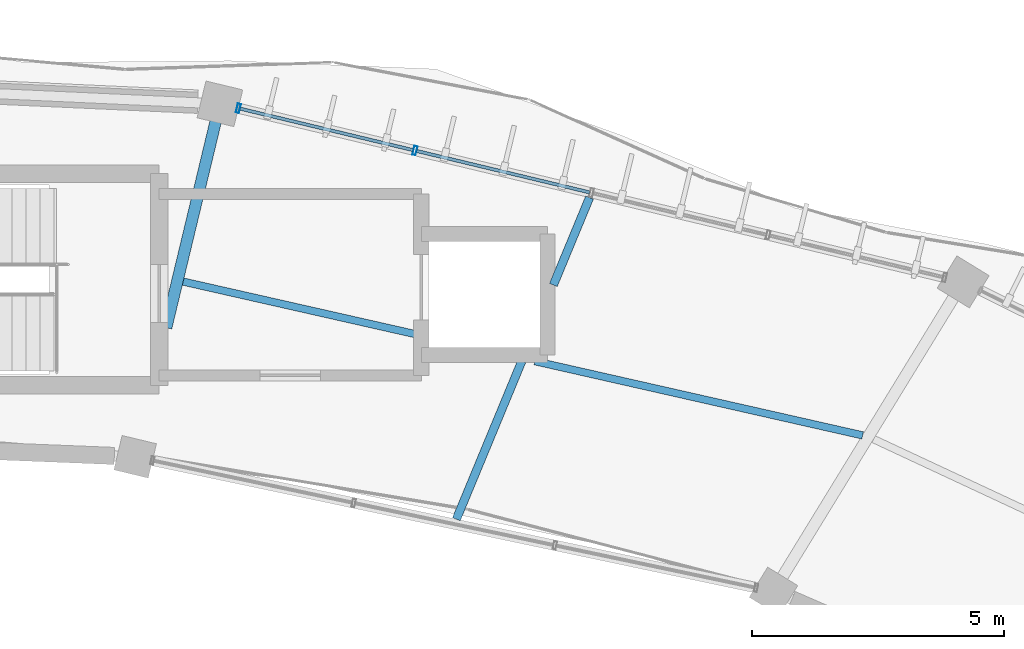
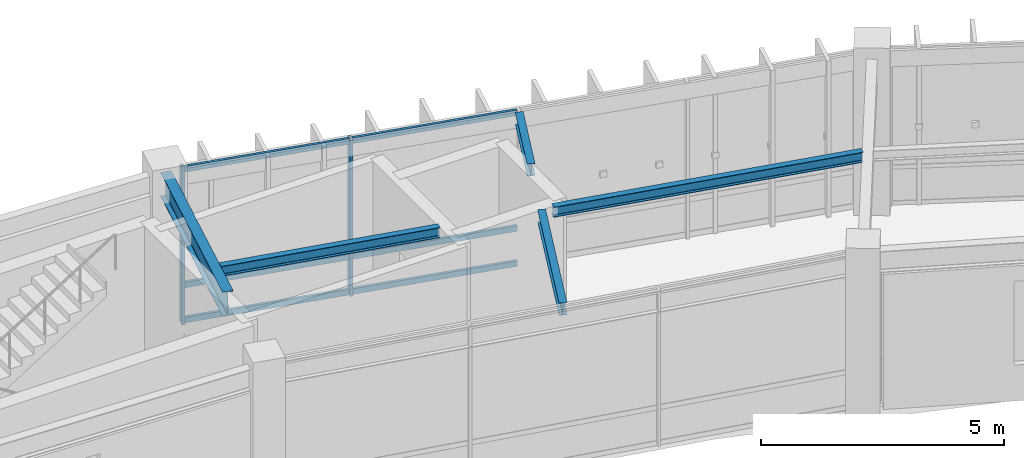
# One storey, part 80 of 152: 8 members, 5 beams, 1 element without a shape of its own.
"""IFC4 building model written with IfcOpenShell, lengths in metres."""

from ifc_helpers import new_model, si_unit, direction, frame, origin, origin_2d, place, context, subcontext, project, spatial, hollow_rectangle, i_section, extrude, material, material_profile, profile_set, type_object, element, aggregate, save


model = new_model("IFC4")

# Units and contexts
model_context = context("Model", 3, precision=1e-05, world=origin(), true_north=direction((0.0, 1.0)))
body_context = subcontext(model_context, "Body", "Model", "MODEL_VIEW")
ifc_project = project(units=[si_unit("LENGTHUNIT", "METRE"), si_unit("AREAUNIT", "SQUARE_METRE"), si_unit("VOLUMEUNIT", "CUBIC_METRE"), si_unit("PLANEANGLEUNIT", "RADIAN"), si_unit("MASSUNIT", "GRAM", prefix="KILO"), si_unit("THERMODYNAMICTEMPERATUREUNIT", "KELVIN"), si_unit("POWERUNIT", "WATT")], contexts=[model_context])

# Site, building, storey
site_placement = place(None, origin())
site = spatial("IfcSite", under=ifc_project, at=site_placement, CompositionType="ELEMENT")
building_placement = place(site_placement, origin())
building = spatial("IfcBuilding", under=site, at=building_placement, Name="Darbajah Civic Hall", CompositionType="ELEMENT")
storey_placement = place(building_placement, frame((0.0, 0.0, 5.39990234375)))
storey = spatial("IfcBuildingStorey", under=building, at=storey_placement, Name="L01", CompositionType="ELEMENT", Elevation=5.39990234375)

# Curtain wall, members
ifc_material_1 = material(Name="Anodised Bronze Aluminium and Low-E Glazing", Category="aluminium")
curtain_wall_type = type_object("IfcCurtainWallType", Name="Unitised Curtain Wall CW-21 14400x3900", PredefinedType="USERDEFINED", material=ifc_material_1)
curtain_wall_placement = place(storey_placement, origin())
curtain_wall = element("IfcCurtainWall", 1, at=curtain_wall_placement, inside=storey, type_object=curtain_wall_type, Name="L01 unitised curtain wall CW-V1O-L01-03", ObjectType="UNITISED CURTAIN WALL", PredefinedType="USERDEFINED")
ifc_material_2 = material(Name="Anodised Bronze Aluminium", Category="aluminium")
ifc_material_profile_1 = material_profile(ifc_material_2, hollow_rectangle(XDim=0.06494140625, YDim=0.179931640625, WallThickness=0.00390625, at=origin_2d()), Name="ALU MULLION 65x180")
ifc_profile_set_1 = profile_set([ifc_material_profile_1], Name="Anodised Bronze Aluminium")
member_type_1 = type_object("IfcMemberType", Name="ALU MULLION 65x180", PredefinedType="MULLION", material=ifc_profile_set_1)
member_1_placement = place(storey_placement, frame((104.87451171875, 117.55810546875, 0.0), z_axis=(0.0, 0.0, 1.0), x_axis=(-0.972492018808, 0.232936200179, 0.0)))
member_1 = element("IfcMember", 2, at=member_1_placement, type_object=member_type_1, Name="CW-V1O-L01-03 mullion 4", PredefinedType="MULLION", context=body_context, shape_type="SweptSolid", body=[
    extrude(hollow_rectangle(XDim=0.06494140625, YDim=0.179931640625, WallThickness=0.00390625, at=origin_2d()), origin(), (0.0, 0.0, 1.0), 3.920166015625),
])
member_2_placement = place(storey_placement, frame((101.372314453125, 118.397216796875, 0.0), z_axis=(0.0, 0.0, 1.0), x_axis=(-0.972492018808, 0.232936200179, 0.0)))
member_2 = element("IfcMember", 3, at=member_2_placement, type_object=member_type_1, Name="CW-V1O-L01-03 mullion 5", PredefinedType="MULLION", context=body_context, shape_type="SweptSolid", body=[
    extrude(hollow_rectangle(XDim=0.06494140625, YDim=0.179931640625, WallThickness=0.00390625, at=origin_2d()), origin(), (0.0, 0.0, 1.0), 3.920166015625),
])
ifc_material_profile_2 = material_profile(ifc_material_2, hollow_rectangle(XDim=0.06494140625, YDim=0.139892578125, WallThickness=0.00341796875, at=origin_2d()), Name="ALU TRANSOM 65x140")
ifc_profile_set_2 = profile_set([ifc_material_profile_2], Name="Anodised Bronze Aluminium")
member_type_2 = type_object("IfcMemberType", Name="ALU TRANSOM 65x140", PredefinedType="USERDEFINED", material=ifc_profile_set_2)
member_3_placement = place(storey_placement, frame((108.340087890625, 116.7275390625, 0.070068359375), z_axis=(-0.972466430891, 0.23304300202, 0.0), x_axis=(-0.23304300202, -0.972466430891, 0.0)))
member_3 = element("IfcMember", 4, at=member_3_placement, type_object=member_type_2, Name="CW-V1O-L01-03 transom 3.1", ObjectType="TRANSOM", PredefinedType="USERDEFINED", context=body_context, shape_type="SweptSolid", body=[
    extrude(hollow_rectangle(XDim=0.06494140625, YDim=0.139892578125, WallThickness=0.00341796875, at=origin_2d()), origin(), (0.0, 0.0, 1.0), 3.5263671875),
])
member_4_placement = place(storey_placement, frame((108.340087890625, 116.7275390625, 0.9501953125), z_axis=(-0.972466430891, 0.23304300202, 0.0), x_axis=(-0.23304300202, -0.972466430891, 0.0)))
member_4 = element("IfcMember", 5, at=member_4_placement, type_object=member_type_2, Name="CW-V1O-L01-03 transom 3.2", ObjectType="TRANSOM", PredefinedType="USERDEFINED", context=body_context, shape_type="SweptSolid", body=[
    extrude(hollow_rectangle(XDim=0.06494140625, YDim=0.139892578125, WallThickness=0.00341796875, at=origin_2d()), origin(), (0.0, 0.0, 1.0), 3.5263671875),
])
member_5_placement = place(storey_placement, frame((108.340087890625, 116.7275390625, 3.85009765625), z_axis=(-0.972466430891, 0.23304300202, 0.0), x_axis=(-0.23304300202, -0.972466430891, 0.0)))
member_5 = element("IfcMember", 6, at=member_5_placement, type_object=member_type_2, Name="CW-V1O-L01-03 transom 3.3", ObjectType="TRANSOM", PredefinedType="USERDEFINED", context=body_context, shape_type="SweptSolid", body=[
    extrude(hollow_rectangle(XDim=0.06494140625, YDim=0.139892578125, WallThickness=0.00341796875, at=origin_2d()), origin(), (0.0, 0.0, 1.0), 3.5263671875),
])
member_6_placement = place(storey_placement, frame((104.837890625, 117.566650390625, 0.070068359375), z_axis=(-0.972466430891, 0.23304300202, 0.0), x_axis=(-0.23304300202, -0.972466430891, 0.0)))
member_6 = element("IfcMember", 7, at=member_6_placement, type_object=member_type_2, Name="CW-V1O-L01-03 transom 4.1", ObjectType="TRANSOM", PredefinedType="USERDEFINED", context=body_context, shape_type="SweptSolid", body=[
    extrude(hollow_rectangle(XDim=0.06494140625, YDim=0.139892578125, WallThickness=0.00341796875, at=origin_2d()), origin(), (0.0, 0.0, 1.0), 3.5263671875),
])
member_7_placement = place(storey_placement, frame((104.837890625, 117.566650390625, 0.9501953125), z_axis=(-0.972466430891, 0.23304300202, 0.0), x_axis=(-0.23304300202, -0.972466430891, 0.0)))
member_7 = element("IfcMember", 8, at=member_7_placement, type_object=member_type_2, Name="CW-V1O-L01-03 transom 4.2", ObjectType="TRANSOM", PredefinedType="USERDEFINED", context=body_context, shape_type="SweptSolid", body=[
    extrude(hollow_rectangle(XDim=0.06494140625, YDim=0.139892578125, WallThickness=0.00341796875, at=origin_2d()), origin(), (0.0, 0.0, 1.0), 3.5263671875),
])
member_8_placement = place(storey_placement, frame((104.837890625, 117.566650390625, 3.85009765625), z_axis=(-0.972466430891, 0.23304300202, 0.0), x_axis=(-0.23304300202, -0.972466430891, 0.0)))
member_8 = element("IfcMember", 9, at=member_8_placement, type_object=member_type_2, Name="CW-V1O-L01-03 transom 4.3", ObjectType="TRANSOM", PredefinedType="USERDEFINED", context=body_context, shape_type="SweptSolid", body=[
    extrude(hollow_rectangle(XDim=0.06494140625, YDim=0.139892578125, WallThickness=0.00341796875, at=origin_2d()), origin(), (0.0, 0.0, 1.0), 3.5263671875),
])
aggregate(curtain_wall, [member_1, member_2, member_3, member_4, member_5, member_6, member_7, member_8])

# Beams
ifc_material_3 = material(Name="Steel S355JR", Category="steel")
ifc_material_profile_3 = material_profile(ifc_material_3, i_section(OverallWidth=0.146484375, OverallDepth=0.256103515625, WebThickness=0.00634765625, FlangeThickness=0.010986328125, FilletRadius=0.007568359375, at=origin_2d()), Name="UB 254x146x37")
ifc_profile_set_3 = profile_set([ifc_material_profile_3], Name="Steel S355JR")
beam_type_1 = type_object("IfcBeamType", Name="UB 254x146x37", PredefinedType="JOIST", material=ifc_profile_set_3)
beam_1_placement = place(storey_placement, frame((113.75341796875, 111.908935546875, 3.7919921875), z_axis=(-0.975333988731, 0.220734252953, 0.0), x_axis=(-0.220734252953, -0.975333988731, 0.0)))
element("IfcBeam", 10, at=beam_1_placement, inside=storey, type_object=beam_type_1, Name="L01 beam SJ-254", PredefinedType="JOIST", context=body_context, shape_type="SweptSolid", body=[
    extrude(i_section(OverallWidth=0.146484375, OverallDepth=0.256103515625, WebThickness=0.00634765625, FlangeThickness=0.010986328125, FilletRadius=0.007568359375, at=origin_2d()), origin(), (0.0, 0.0, 1.0), 6.663818359375),
])
beam_2_placement = place(storey_placement, frame((104.8798828125, 113.917236328125, 3.7919921875), z_axis=(-0.97532969835, 0.220753209527, 0.0), x_axis=(-0.220753209527, -0.97532969835, 0.0)))
element("IfcBeam", 11, at=beam_2_placement, inside=storey, type_object=beam_type_1, Name="L01 beam SJ-254", PredefinedType="JOIST", context=body_context, shape_type="SweptSolid", body=[
    extrude(i_section(OverallWidth=0.146484375, OverallDepth=0.256103515625, WebThickness=0.00634765625, FlangeThickness=0.010986328125, FilletRadius=0.007568359375, at=origin_2d()), origin(), (0.0, 0.0, 1.0), 4.718017578125),
])
ifc_material_profile_4 = material_profile(ifc_material_3, i_section(OverallWidth=0.165771484375, OverallDepth=0.306640625, WebThickness=0.006591796875, FlangeThickness=0.01171875, FilletRadius=0.0087890625, at=origin_2d()), Name="UB 305x165x46")
ifc_profile_set_4 = profile_set([ifc_material_profile_4], Name="Steel S355JR")
beam_type_2 = type_object("IfcBeamType", Name="UB 305x165x46", PredefinedType="JOIST", material=ifc_profile_set_4)
beam_3_placement = place(storey_placement, frame((105.69580078125, 110.246826171875, 3.766845703125), z_axis=(0.382646399195, 0.923894871283, 0.0), x_axis=(-0.923894871283, 0.382646399195, 0.0)))
element("IfcBeam", 12, at=beam_3_placement, inside=storey, type_object=beam_type_2, Name="L01 beam SJ-305", PredefinedType="JOIST", context=body_context, shape_type="SweptSolid", body=[
    extrude(i_section(OverallWidth=0.165771484375, OverallDepth=0.306640625, WebThickness=0.006591796875, FlangeThickness=0.01171875, FilletRadius=0.0087890625, at=origin_2d()), origin(), (0.0, 0.0, 1.0), 3.39111328125),
])
beam_4_placement = place(storey_placement, frame((107.6201171875, 114.892578125, 3.766845703125), z_axis=(0.382589483091, 0.923918441978, 0.0), x_axis=(-0.923918441978, 0.382589483091, 0.0)))
element("IfcBeam", 13, at=beam_4_placement, inside=storey, type_object=beam_type_2, Name="L01 beam SJ-305", PredefinedType="JOIST", context=body_context, shape_type="SweptSolid", body=[
    extrude(i_section(OverallWidth=0.165771484375, OverallDepth=0.306640625, WebThickness=0.006591796875, FlangeThickness=0.01171875, FilletRadius=0.0087890625, at=origin_2d()), origin(), (0.0, 0.0, 1.0), 1.874755859375),
])
ifc_material_profile_5 = material_profile(ifc_material_3, i_section(OverallWidth=0.228271484375, OverallDepth=0.607666015625, WebThickness=0.010986328125, FlangeThickness=0.017333984375, FilletRadius=0.0126953125, at=origin_2d()), Name="UB 610x229x113")
ifc_profile_set_5 = profile_set([ifc_material_profile_5], Name="Steel S355JR")
beam_type_3 = type_object("IfcBeamType", Name="UB 610x229x113", PredefinedType="BEAM", material=ifc_profile_set_5)
beam_5_placement = place(storey_placement, frame((99.93994140625, 114.0458984375, 3.6162109375), z_axis=(0.233469714674, 0.972364073961, 0.0), x_axis=(-0.972364073961, 0.233469714674, 0.0)))
element("IfcBeam", 14, at=beam_5_placement, inside=storey, type_object=beam_type_3, Name="L01 beam SB-610", PredefinedType="BEAM", context=body_context, shape_type="SweptSolid", body=[
    extrude(i_section(OverallWidth=0.228271484375, OverallDepth=0.607666015625, WebThickness=0.010986328125, FlangeThickness=0.017333984375, FilletRadius=0.0126953125, at=origin_2d()), origin(), (0.0, 0.0, 1.0), 4.485107421875),
])

save(model, "model.ifc")
